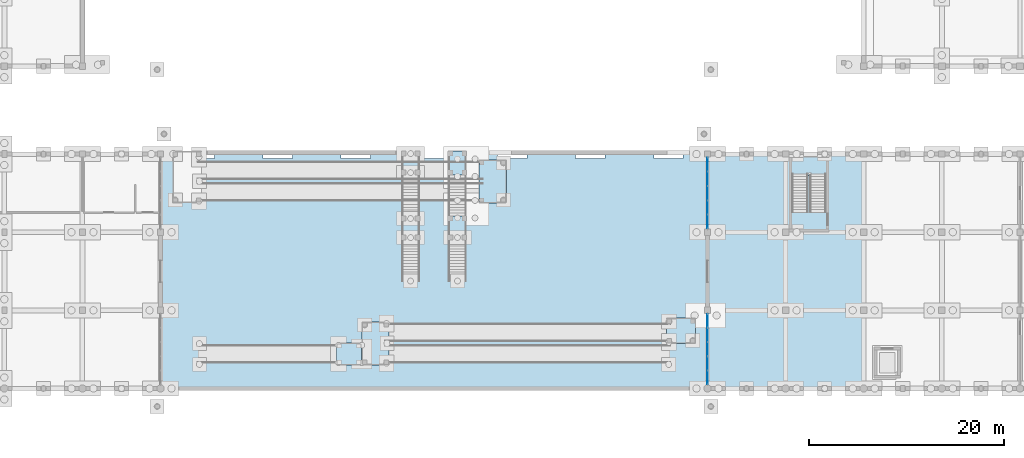
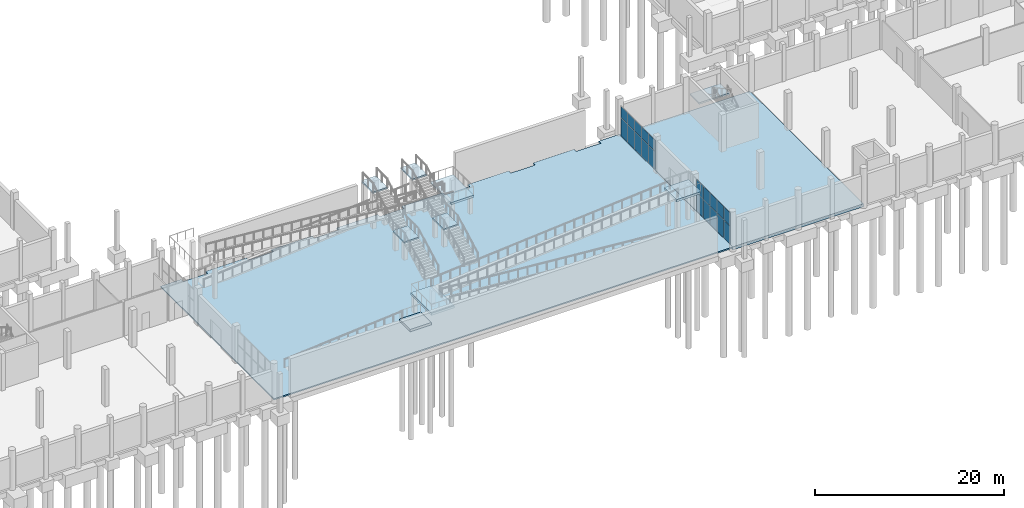
# One storey, part 23 of 52: 20 plates, 11 slabs, 9 elements without a shape of their own.
"""IFC4 building model written with IfcOpenShell, lengths in metres."""

import ifcopenshell
import ifcopenshell.guid

model = None  # the IFC model being written
_history = None  # IfcOwnerHistory: only IFC2X3 demands one
_inside = {}  # id of a spatial element -> (the spatial element, [elements in it])
_under = {}  # id of a project, library or spatial element -> (it, [spatial elements below it])
_declared = {}  # id of a project -> (the project, [libraries it declares])
_typed = {}  # id of a type object -> (the type object, [elements of that type])
_made_of = {}  # id of a material, layer set ... -> (it, [elements and type objects made of it])


def new_model(schema):
    """Start an empty IFC model of exactly this schema.

    Asked for "IFC4X3", IfcOpenShell would pick the latest addendum, in which some entities
    have other attributes; the version numbers below select the first issue.
    IFC2X3 requires an IfcOwnerHistory on every rooted entity: one is made here for all.
    """
    global model, _history
    if schema == "IFC4X3":
        model = ifcopenshell.file(schema_version=(4, 3, 0, 0))
    else:
        model = ifcopenshell.file(schema=schema)
    _inside.clear()
    _under.clear()
    _declared.clear()
    _typed.clear()
    _made_of.clear()
    _history = None
    if model.schema == "IFC2X3":
        org = make("IfcOrganization", Name="unknown")
        user = make(
            "IfcPersonAndOrganization",
            ThePerson=make("IfcPerson", FamilyName="unknown"),
            TheOrganization=org,
        )
        app = make(
            "IfcApplication",
            ApplicationDeveloper=org,
            Version="unknown",
            ApplicationFullName="unknown",
            ApplicationIdentifier="unknown",
        )
        _history = make(
            "IfcOwnerHistory",
            OwningUser=user,
            OwningApplication=app,
            ChangeAction="ADDED",
            CreationDate=0,
        )
    return model


def make(cls, **values):
    """One entity of the class cls with the attributes given. An attribute that is None is left unset."""
    return model.create_entity(
        cls, **{name: value for name, value in values.items() if value is not None}
    )


def rooted(cls, **values):
    """An entity with a GlobalId (a new one), such as an element, a storey or a relation."""
    return make(cls, GlobalId=ifcopenshell.guid.new(), OwnerHistory=_history, **values)


def si_unit(unit_type, name, prefix=None):
    """IfcSIUnit, for example si_unit("LENGTHUNIT", "METRE", prefix="MILLI")."""
    return make("IfcSIUnit", UnitType=unit_type, Prefix=prefix, Name=name)


def assignment(units):
    """IfcUnitAssignment: the units of a project."""
    return None if units is None else make("IfcUnitAssignment", Units=units)


def point(xyz):
    """IfcCartesianPoint."""
    return None if xyz is None else make("IfcCartesianPoint", Coordinates=xyz)


def direction(xyz):
    """IfcDirection."""
    return None if xyz is None else make("IfcDirection", DirectionRatios=xyz)


def frame(location, z_axis=None, x_axis=None):
    """IfcAxis2Placement3D, a coordinate frame: its origin and axes. An axis left out is left unset."""
    return make(
        "IfcAxis2Placement3D",
        Location=point(location),
        Axis=direction(z_axis),
        RefDirection=direction(x_axis),
    )


def frame_2d(location, x_axis=None):
    """IfcAxis2Placement2D, a coordinate frame in the plane: its origin and x axis."""
    return make(
        "IfcAxis2Placement2D", Location=point(location), RefDirection=direction(x_axis)
    )


def origin():
    """The frame at (0, 0, 0) with its axes left unset."""
    return frame((0.0, 0.0, 0.0))


def origin_2d():
    """The frame at (0, 0) in the plane with its x axis left unset."""
    return frame_2d((0.0, 0.0))


def place(relative_to, where):
    """IfcLocalPlacement: puts the frame where relative to a parent placement (None: the world)."""
    return make(
        "IfcLocalPlacement", PlacementRelTo=relative_to, RelativePlacement=where
    )


def context(
    kind, dimensions, precision=None, world=None, true_north=None, identifier=None
):
    """IfcGeometricRepresentationContext, for example the 3D "Model" context."""
    return make(
        "IfcGeometricRepresentationContext",
        ContextIdentifier=identifier,
        ContextType=kind,
        CoordinateSpaceDimension=dimensions,
        Precision=precision,
        WorldCoordinateSystem=world,
        TrueNorth=true_north,
    )


def subcontext(parent, identifier, kind, view, scale=None):
    """IfcGeometricRepresentationSubContext, for example "Body" below "Model"."""
    return make(
        "IfcGeometricRepresentationSubContext",
        ContextIdentifier=identifier,
        ContextType=kind,
        ParentContext=parent,
        TargetScale=scale,
        TargetView=view,
    )


def project(units=None, contexts=None):
    """IfcProject with its units and contexts."""
    return rooted(
        "IfcProject",
        Name="project",
        RepresentationContexts=contexts,
        UnitsInContext=assignment(units),
    )


def spatial(cls, under=None, at=None, **own):
    """A site, building, storey or space (cls), placed at a placement, below another one or the project."""
    s = rooted(cls, ObjectPlacement=at, **own)
    if under is not None:
        _under.setdefault(under.id(), (under, []))[1].append(s)
    return s


def polyline(points):
    """IfcPolyline through the points."""
    return make("IfcPolyline", Points=[point(p) for p in points])


def profile(cls, at=None, kind="AREA", **sizes):
    """A parametric profile (cls). Its sizes go by their IFC names, for example OverallWidth=200.0."""
    return make(cls, ProfileType=kind, Position=at, **sizes)


def rectangle(**sizes):
    """IfcRectangleProfileDef."""
    return profile("IfcRectangleProfileDef", **sizes)


def outline(outer, holes=None, kind="AREA"):
    """IfcArbitraryClosedProfileDef: a profile drawn as a closed curve; with holes, ...WithVoids."""
    if holes is None:
        return make("IfcArbitraryClosedProfileDef", ProfileType=kind, OuterCurve=outer)
    return make(
        "IfcArbitraryProfileDefWithVoids",
        ProfileType=kind,
        OuterCurve=outer,
        InnerCurves=holes,
    )


def extrude(swept, where, along, depth):
    """IfcExtrudedAreaSolid: the profile swept, set in the frame where, extruded along a direction by depth."""
    return make(
        "IfcExtrudedAreaSolid",
        SweptArea=swept,
        Position=where,
        ExtrudedDirection=direction(along),
        Depth=depth,
    )


def shape(context_of_items, identifier, shape_type, items):
    """IfcShapeRepresentation: the items that make up one representation, for example the "Body"."""
    return make(
        "IfcShapeRepresentation",
        ContextOfItems=context_of_items,
        RepresentationIdentifier=identifier,
        RepresentationType=shape_type,
        Items=items,
    )


def material(Name=None, Category=None):
    """IfcMaterial."""
    return make("IfcMaterial", Name=Name, Category=Category)


def layer(
    of_material, thickness, ventilated=None, Name=None, Category=None, Priority=None
):
    """IfcMaterialLayer: one layer of a wall or slab, of a material (None: an air gap)."""
    return make(
        "IfcMaterialLayer",
        Material=of_material,
        LayerThickness=thickness,
        IsVentilated=ventilated,
        Name=Name,
        Category=Category,
        Priority=Priority,
    )


def layer_set(layers, Name=None):
    """IfcMaterialLayerSet."""
    return make("IfcMaterialLayerSet", MaterialLayers=layers, LayerSetName=Name)


def made_of(thing, what):
    """Note that an element or type object is made of a material, layer set ...; save() writes the relation."""
    if what is not None:
        _made_of.setdefault(what.id(), (what, []))[1].append(thing)
    return thing


def type_object(cls, material=None, **own):
    """A type object (cls), such as IfcWallType, which elements share."""
    return made_of(rooted(cls, **own), material)


def element(
    cls,
    number,
    at=None,
    inside=None,
    cuts=None,
    type_object=None,
    material=None,
    context=None,
    identifier="Body",
    shape_type=None,
    held_by="IfcProductDefinitionShape",
    body=None,
    shapes=None,
    **own,
):
    """One element of the class cls, such as IfcWall. Its Tag is "e" and its number.

    at: its placement. inside: the storey or other place that contains it. cuts: it is an
    opening in that element (IfcRelVoidsElement). A single representation is given by context,
    identifier, shape_type and body (its items); several are given by shapes. held_by: the class
    of the entity that holds the representations. save() writes the other relations.
    """
    e = rooted(cls, Tag="e%d" % number, ObjectPlacement=at, **own)
    if body is not None:
        shapes = [shape(context, identifier, shape_type, body)]
    if shapes is not None:
        e.Representation = make(held_by, Representations=shapes)
    if inside is not None:
        _inside.setdefault(inside.id(), (inside, []))[1].append(e)
    if cuts is not None:
        rooted(
            "IfcRelVoidsElement", RelatingBuildingElement=cuts, RelatedOpeningElement=e
        )
    if type_object is not None:
        _typed.setdefault(type_object.id(), (type_object, []))[1].append(e)
    return made_of(e, material)


def aggregate(whole, parts):
    """IfcRelAggregates: a whole, such as a stair, and the parts it consists of."""
    return rooted("IfcRelAggregates", RelatingObject=whole, RelatedObjects=parts)


def save(model, path):
    """Write the relations noted so far, then the file.

    IfcRelAggregates (storeys below a building ...), IfcRelContainedInSpatialStructure (elements
    in a storey), IfcRelDefinesByType, IfcRelAssociatesMaterial and IfcRelDeclares: one each for
    every whole, place, type object, material and project.
    """
    for whole, parts in _under.values():
        aggregate(whole, parts)
    for where, things in _inside.values():
        rooted(
            "IfcRelContainedInSpatialStructure",
            RelatedElements=things,
            RelatingStructure=where,
        )
    for kind, things in _typed.values():
        rooted("IfcRelDefinesByType", RelatedObjects=things, RelatingType=kind)
    for what, things in _made_of.values():
        rooted("IfcRelAssociatesMaterial", RelatedObjects=things, RelatingMaterial=what)
    for by, libraries in _declared.values():
        rooted("IfcRelDeclares", RelatingContext=by, RelatedDefinitions=libraries)
    model.write(path)


model = new_model("IFC4")

# Units and contexts
model_context = context("Model", 3, precision=1e-05, world=origin(), true_north=direction((0.0, 1.0)))
body_context = subcontext(model_context, "Body", "Model", "MODEL_VIEW")
ifc_project = project(units=[si_unit("LENGTHUNIT", "METRE"), si_unit("AREAUNIT", "SQUARE_METRE"), si_unit("VOLUMEUNIT", "CUBIC_METRE"), si_unit("PLANEANGLEUNIT", "RADIAN"), si_unit("MASSUNIT", "GRAM", prefix="KILO")], contexts=[model_context])

# Site, building, storey
site_placement = place(None, origin())
site = spatial("IfcSite", under=ifc_project, at=site_placement, CompositionType="ELEMENT")
building_placement = place(site_placement, origin())
building = spatial("IfcBuilding", under=site, at=building_placement, Name="Luwemba Playhouse", CompositionType="ELEMENT")
storey_placement = place(building_placement, frame((0.0, 0.0, -4.800048828125)))
storey = spatial("IfcBuildingStorey", under=building, at=storey_placement, Name="B1", CompositionType="ELEMENT", Elevation=-4.800048828125)

# Curtain wall, plates
ifc_material_1 = material(Name="Solar-control double glazing", Category="glass")
curtain_wall_type_1 = type_object("IfcCurtainWallType", Name="CW-CW04", PredefinedType="USERDEFINED", material=ifc_material_1)
curtain_wall_1_placement = place(storey_placement, origin())
curtain_wall_1 = element("IfcCurtainWall", 1, at=curtain_wall_1_placement, inside=storey, type_object=curtain_wall_type_1, Name="B1 Sunken Forecourt curtain wall 004", ObjectType="UNITISED GLAZING", PredefinedType="USERDEFINED")
ifc_layer_1 = layer(ifc_material_1, 0.02392578125)
ifc_layer_set_1 = layer_set([ifc_layer_1], Name="Solar-control double glazing")
plate_type_1 = type_object("IfcPlateType", Name="CWP-P1", PredefinedType="CURTAIN_PANEL", material=ifc_layer_set_1)
plate_1_placement = place(storey_placement, frame((116.0, 20.074951171875, 0.06005859375), z_axis=(0.0, 0.0, 1.0), x_axis=(0.0, 1.0, 0.0)))
plate_1 = element("IfcPlate", 2, at=plate_1_placement, type_object=plate_type_1, Name="CW04 panel 1.1", PredefinedType="CURTAIN_PANEL", context=body_context, shape_type="SweptSolid", body=[
    extrude(rectangle(XDim=1.3798828125, YDim=0.02392578125, at=origin_2d()), origin(), (0.0, 0.0, 1.0), 2.31005859375),
])
plate_2_placement = place(storey_placement, frame((116.0, 20.074951171875, 2.43017578125), z_axis=(0.0, 0.0, 1.0), x_axis=(0.0, 1.0, 0.0)))
plate_2 = element("IfcPlate", 3, at=plate_2_placement, type_object=plate_type_1, Name="CW04 panel 1.2", PredefinedType="CURTAIN_PANEL", context=body_context, shape_type="SweptSolid", body=[
    extrude(rectangle(XDim=1.3798828125, YDim=0.02392578125, at=origin_2d()), origin(), (0.0, 0.0, 1.0), 1.445068359375),
])
plate_3_placement = place(storey_placement, frame((116.0, 21.530029296875, 0.06005859375), z_axis=(0.0, 0.0, 1.0), x_axis=(0.0, 1.0, 0.0)))
plate_3 = element("IfcPlate", 4, at=plate_3_placement, type_object=plate_type_1, Name="CW04 panel 2.1", PredefinedType="CURTAIN_PANEL", context=body_context, shape_type="SweptSolid", body=[
    extrude(rectangle(XDim=1.409912109375, YDim=0.02392578125, at=origin_2d()), origin(), (0.0, 0.0, 1.0), 2.31005859375),
])
plate_4_placement = place(storey_placement, frame((116.0, 21.530029296875, 2.43017578125), z_axis=(0.0, 0.0, 1.0), x_axis=(0.0, 1.0, 0.0)))
plate_4 = element("IfcPlate", 5, at=plate_4_placement, type_object=plate_type_1, Name="CW04 panel 2.2", PredefinedType="CURTAIN_PANEL", context=body_context, shape_type="SweptSolid", body=[
    extrude(rectangle(XDim=1.409912109375, YDim=0.02392578125, at=origin_2d()), origin(), (0.0, 0.0, 1.0), 1.445068359375),
])
plate_5_placement = place(storey_placement, frame((116.0, 23.0, 0.06005859375), z_axis=(0.0, 0.0, 1.0), x_axis=(0.0, 1.0, 0.0)))
plate_5 = element("IfcPlate", 6, at=plate_5_placement, type_object=plate_type_1, Name="CW04 panel 3.1", PredefinedType="CURTAIN_PANEL", context=body_context, shape_type="SweptSolid", body=[
    extrude(rectangle(XDim=1.409912109375, YDim=0.02392578125, at=origin_2d()), origin(), (0.0, 0.0, 1.0), 2.31005859375),
])
plate_6_placement = place(storey_placement, frame((116.0, 23.0, 2.43017578125), z_axis=(0.0, 0.0, 1.0), x_axis=(0.0, 1.0, 0.0)))
plate_6 = element("IfcPlate", 7, at=plate_6_placement, type_object=plate_type_1, Name="CW04 panel 3.2", PredefinedType="CURTAIN_PANEL", context=body_context, shape_type="SweptSolid", body=[
    extrude(rectangle(XDim=1.409912109375, YDim=0.02392578125, at=origin_2d()), origin(), (0.0, 0.0, 1.0), 1.445068359375),
])
plate_7_placement = place(storey_placement, frame((116.0, 24.469970703125, 0.06005859375), z_axis=(0.0, 0.0, 1.0), x_axis=(0.0, 1.0, 0.0)))
plate_7 = element("IfcPlate", 8, at=plate_7_placement, type_object=plate_type_1, Name="CW04 panel 4.1", PredefinedType="CURTAIN_PANEL", context=body_context, shape_type="SweptSolid", body=[
    extrude(rectangle(XDim=1.409912109375, YDim=0.02392578125, at=origin_2d()), origin(), (0.0, 0.0, 1.0), 2.31005859375),
])
plate_8_placement = place(storey_placement, frame((116.0, 24.469970703125, 2.43017578125), z_axis=(0.0, 0.0, 1.0), x_axis=(0.0, 1.0, 0.0)))
plate_8 = element("IfcPlate", 9, at=plate_8_placement, type_object=plate_type_1, Name="CW04 panel 4.2", PredefinedType="CURTAIN_PANEL", context=body_context, shape_type="SweptSolid", body=[
    extrude(rectangle(XDim=1.409912109375, YDim=0.02392578125, at=origin_2d()), origin(), (0.0, 0.0, 1.0), 1.445068359375),
])
plate_9_placement = place(storey_placement, frame((116.0, 25.925048828125, 0.06005859375), z_axis=(0.0, 0.0, 1.0), x_axis=(0.0, 1.0, 0.0)))
plate_9 = element("IfcPlate", 10, at=plate_9_placement, type_object=plate_type_1, Name="CW04 panel 5.1", PredefinedType="CURTAIN_PANEL", context=body_context, shape_type="SweptSolid", body=[
    extrude(rectangle(XDim=1.3798828125, YDim=0.02392578125, at=origin_2d()), origin(), (0.0, 0.0, 1.0), 2.31005859375),
])
plate_10_placement = place(storey_placement, frame((116.0, 25.925048828125, 2.43017578125), z_axis=(0.0, 0.0, 1.0), x_axis=(0.0, 1.0, 0.0)))
plate_10 = element("IfcPlate", 11, at=plate_10_placement, type_object=plate_type_1, Name="CW04 panel 5.2", PredefinedType="CURTAIN_PANEL", context=body_context, shape_type="SweptSolid", body=[
    extrude(rectangle(XDim=1.3798828125, YDim=0.02392578125, at=origin_2d()), origin(), (0.0, 0.0, 1.0), 1.445068359375),
])
aggregate(curtain_wall_1, [plate_1, plate_2, plate_3, plate_4, plate_5, plate_6, plate_7, plate_8, plate_9, plate_10])

curtain_wall_type_2 = type_object("IfcCurtainWallType", Name="CW-CW03", PredefinedType="USERDEFINED", material=ifc_material_1)
curtain_wall_2_placement = place(storey_placement, origin())
curtain_wall_2 = element("IfcCurtainWall", 12, at=curtain_wall_2_placement, inside=storey, type_object=curtain_wall_type_2, Name="B1 Sunken Forecourt curtain wall 003", ObjectType="UNITISED GLAZING", PredefinedType="USERDEFINED")
ifc_layer_2 = layer(ifc_material_1, 0.035888671875)
ifc_layer_set_2 = layer_set([ifc_layer_2], Name="Solar-control double glazing")
plate_type_2 = type_object("IfcPlateType", Name="CWP-P4", PredefinedType="CURTAIN_PANEL", material=ifc_layer_set_2)
plate_11_placement = place(storey_placement, frame((116.0, 4.12255859375, 0.05029296875), z_axis=(0.0, 0.0, 1.0), x_axis=(0.0, 1.0, 0.0)))
plate_11 = element("IfcPlate", 13, at=plate_11_placement, type_object=plate_type_2, Name="CW03 panel 1.1", PredefinedType="CURTAIN_PANEL", context=body_context, shape_type="SweptSolid", body=[
    extrude(rectangle(XDim=1.35498046875, YDim=0.035888671875, at=origin_2d()), origin(), (0.0, 0.0, 1.0), 2.324951171875),
])
plate_12_placement = place(storey_placement, frame((116.0, 4.12255859375, 2.425048828125), z_axis=(0.0, 0.0, 1.0), x_axis=(0.0, 1.0, 0.0)))
plate_12 = element("IfcPlate", 14, at=plate_12_placement, type_object=plate_type_2, Name="CW03 panel 1.2", PredefinedType="CURTAIN_PANEL", context=body_context, shape_type="SweptSolid", body=[
    extrude(rectangle(XDim=1.35498046875, YDim=0.035888671875, at=origin_2d()), origin(), (0.0, 0.0, 1.0), 1.7099609375),
])
plate_13_placement = place(storey_placement, frame((116.0, 5.56494140625, 0.05029296875), z_axis=(0.0, 0.0, 1.0), x_axis=(0.0, 1.0, 0.0)))
plate_13 = element("IfcPlate", 15, at=plate_13_placement, type_object=plate_type_2, Name="CW03 panel 2.1", PredefinedType="CURTAIN_PANEL", context=body_context, shape_type="SweptSolid", body=[
    extrude(rectangle(XDim=1.389892578125, YDim=0.035888671875, at=origin_2d()), origin(), (0.0, 0.0, 1.0), 2.324951171875),
])
plate_14_placement = place(storey_placement, frame((116.0, 5.56494140625, 2.425048828125), z_axis=(0.0, 0.0, 1.0), x_axis=(0.0, 1.0, 0.0)))
plate_14 = element("IfcPlate", 16, at=plate_14_placement, type_object=plate_type_2, Name="CW03 panel 2.2", PredefinedType="CURTAIN_PANEL", context=body_context, shape_type="SweptSolid", body=[
    extrude(rectangle(XDim=1.389892578125, YDim=0.035888671875, at=origin_2d()), origin(), (0.0, 0.0, 1.0), 1.7099609375),
])
plate_15_placement = place(storey_placement, frame((116.0, 7.02490234375, 0.05029296875), z_axis=(0.0, 0.0, 1.0), x_axis=(0.0, 1.0, 0.0)))
plate_15 = element("IfcPlate", 17, at=plate_15_placement, type_object=plate_type_2, Name="CW03 panel 3.1", PredefinedType="CURTAIN_PANEL", context=body_context, shape_type="SweptSolid", body=[
    extrude(rectangle(XDim=1.389892578125, YDim=0.035888671875, at=origin_2d()), origin(), (0.0, 0.0, 1.0), 2.324951171875),
])
plate_16_placement = place(storey_placement, frame((116.0, 7.02490234375, 2.425048828125), z_axis=(0.0, 0.0, 1.0), x_axis=(0.0, 1.0, 0.0)))
plate_16 = element("IfcPlate", 18, at=plate_16_placement, type_object=plate_type_2, Name="CW03 panel 3.2", PredefinedType="CURTAIN_PANEL", context=body_context, shape_type="SweptSolid", body=[
    extrude(rectangle(XDim=1.389892578125, YDim=0.035888671875, at=origin_2d()), origin(), (0.0, 0.0, 1.0), 1.7099609375),
])
plate_17_placement = place(storey_placement, frame((116.0, 8.485107421875, 0.05029296875), z_axis=(0.0, 0.0, 1.0), x_axis=(0.0, 1.0, 0.0)))
plate_17 = element("IfcPlate", 19, at=plate_17_placement, type_object=plate_type_2, Name="CW03 panel 4.1", PredefinedType="CURTAIN_PANEL", context=body_context, shape_type="SweptSolid", body=[
    extrude(rectangle(XDim=1.389892578125, YDim=0.035888671875, at=origin_2d()), origin(), (0.0, 0.0, 1.0), 2.324951171875),
])
plate_18_placement = place(storey_placement, frame((116.0, 8.485107421875, 2.425048828125), z_axis=(0.0, 0.0, 1.0), x_axis=(0.0, 1.0, 0.0)))
plate_18 = element("IfcPlate", 20, at=plate_18_placement, type_object=plate_type_2, Name="CW03 panel 4.2", PredefinedType="CURTAIN_PANEL", context=body_context, shape_type="SweptSolid", body=[
    extrude(rectangle(XDim=1.389892578125, YDim=0.035888671875, at=origin_2d()), origin(), (0.0, 0.0, 1.0), 1.7099609375),
])
plate_19_placement = place(storey_placement, frame((116.0, 9.927490234375, 0.05029296875), z_axis=(0.0, 0.0, 1.0), x_axis=(0.0, 1.0, 0.0)))
plate_19 = element("IfcPlate", 21, at=plate_19_placement, type_object=plate_type_2, Name="CW03 panel 5.1", PredefinedType="CURTAIN_PANEL", context=body_context, shape_type="SweptSolid", body=[
    extrude(rectangle(XDim=1.35498046875, YDim=0.035888671875, at=origin_2d()), origin(), (0.0, 0.0, 1.0), 2.324951171875),
])
plate_20_placement = place(storey_placement, frame((116.0, 9.927490234375, 2.425048828125), z_axis=(0.0, 0.0, 1.0), x_axis=(0.0, 1.0, 0.0)))
plate_20 = element("IfcPlate", 22, at=plate_20_placement, type_object=plate_type_2, Name="CW03 panel 5.2", PredefinedType="CURTAIN_PANEL", context=body_context, shape_type="SweptSolid", body=[
    extrude(rectangle(XDim=1.35498046875, YDim=0.035888671875, at=origin_2d()), origin(), (0.0, 0.0, 1.0), 1.7099609375),
])
aggregate(curtain_wall_2, [plate_11, plate_12, plate_13, plate_14, plate_15, plate_16, plate_17, plate_18, plate_19, plate_20])

# Slab
ifc_material_2 = material(Name="Concrete C32/40", Category="concrete")
ifc_layer_3 = layer(ifc_material_2, 0.3798828125)
ifc_layer_set_3 = layer_set([ifc_layer_3], Name="Concrete C32/40")
slab_type_1 = type_object("IfcSlabType", Name="SLB-BASE-380", PredefinedType="BASESLAB", material=ifc_layer_set_3)
slab_1_placement = place(storey_placement, frame((0.0, 0.0, -0.3798828125)))
element("IfcSlab", 23, at=slab_1_placement, inside=storey, type_object=slab_type_1, Name="B1 V5E structural floor slab-MJ", PredefinedType="BASESLAB", context=body_context, shape_type="SweptSolid", body=[
    extrude(outline(polyline([(116.0, 3.0), (116.0, 27.0), (131.969970703125, 27.0), (131.969970703125, 3.0), (116.0, 3.0)])), origin(), (0.0, 0.0, 1.0), 0.3798828125),
])

# Stair, slab
ifc_material_3 = material(Name="Concrete C40/50", Category="concrete")
stair_type_1 = type_object("IfcStairType", Name="STR-DL-03", PredefinedType="HALF_TURN_STAIR", material=ifc_material_3)
stair_1_placement = place(storey_placement, origin())
stair_1 = element("IfcStair", 24, at=stair_1_placement, inside=storey, type_object=stair_type_1, Name="B1 Civic Cafe North-West Escape Stair", PredefinedType="HALF_TURN_STAIR")
ifc_layer_4 = layer(ifc_material_3, 0.215087890625)
ifc_layer_set_4 = layer_set([ifc_layer_4], Name="Concrete C40/50")
slab_type_2 = type_object("IfcSlabType", Name="SLB-LND-215", PredefinedType="LANDING", material=ifc_layer_set_4)
slab_2_placement = place(storey_placement, frame((0.0, 0.0, 2.199951171875)))
slab_2 = element("IfcSlab", 25, at=slab_2_placement, type_object=slab_type_2, Name="ST-14 landing 1", PredefinedType="LANDING", context=body_context, shape_type="SweptSolid", body=[
    extrude(outline(polyline([(128.2900390625, 24.820068359375), (124.510009765625, 24.820068359375), (124.510009765625, 26.800048828125), (128.2900390625, 26.800048828125), (128.2900390625, 24.820068359375)])), origin(), (0.0, 0.0, 1.0), 0.2001953125),
])
aggregate(stair_1, [slab_2])

# Stair, slabs
stair_type_2 = type_object("IfcStairType", Name="STR-AMP-180", PredefinedType="TWO_STRAIGHT_RUN_STAIR", material=ifc_material_2)
stair_2_placement = place(storey_placement, origin())
stair_2 = element("IfcStair", 26, at=stair_2_placement, inside=storey, type_object=stair_type_2, Name="Sunken Metro Forecourt amphitheatre stair ST-11", PredefinedType="TWO_STRAIGHT_RUN_STAIR")
slab_3_placement = place(storey_placement, frame((0.0, 0.0, 2.199951171875)))
slab_3 = element("IfcSlab", 27, at=slab_3_placement, type_object=slab_type_2, Name="ST-11 landing 1", PredefinedType="LANDING", context=body_context, shape_type="SweptSolid", body=[
    extrude(outline(polyline([(84.699951171875, 18.199951171875), (86.5, 18.199951171875), (86.5, 20.64990234375), (84.699951171875, 20.64990234375), (84.699951171875, 18.199951171875)])), origin(), (0.0, 0.0, 1.0), 0.2001953125),
])
slab_4_placement = place(storey_placement, frame((0.0, 0.0, 4.60009765625)))
slab_4 = element("IfcSlab", 28, at=slab_4_placement, type_object=slab_type_2, Name="ST-11 landing 2", PredefinedType="LANDING", context=body_context, shape_type="SweptSolid", body=[
    extrude(outline(polyline([(84.699951171875, 24.85009765625), (86.5, 24.85009765625), (86.5, 27.300048828125), (84.699951171875, 27.300048828125), (84.699951171875, 24.85009765625)])), origin(), (0.0, 0.0, 1.0), 0.199951171875),
])
aggregate(stair_2, [slab_3, slab_4])

stair_3_placement = place(storey_placement, origin())
stair_3 = element("IfcStair", 29, at=stair_3_placement, inside=storey, type_object=stair_type_2, Name="Sunken Metro Forecourt amphitheatre stair ST-12", PredefinedType="TWO_STRAIGHT_RUN_STAIR")
slab_5_placement = place(storey_placement, frame((0.0, 0.0, 2.199951171875)))
slab_5 = element("IfcSlab", 30, at=slab_5_placement, type_object=slab_type_2, Name="ST-12 landing 1", PredefinedType="LANDING", context=body_context, shape_type="SweptSolid", body=[
    extrude(outline(polyline([(89.5, 18.199951171875), (91.300048828125, 18.199951171875), (91.300048828125, 20.64990234375), (89.5, 20.64990234375), (89.5, 18.199951171875)])), origin(), (0.0, 0.0, 1.0), 0.2001953125),
])
slab_6_placement = place(storey_placement, frame((0.0, 0.0, 4.60009765625)))
slab_6 = element("IfcSlab", 31, at=slab_6_placement, type_object=slab_type_2, Name="ST-12 landing 2", PredefinedType="LANDING", context=body_context, shape_type="SweptSolid", body=[
    extrude(outline(polyline([(89.5, 24.85009765625), (91.300048828125, 24.85009765625), (91.300048828125, 27.300048828125), (89.5, 27.300048828125), (89.5, 24.85009765625)])), origin(), (0.0, 0.0, 1.0), 0.199951171875),
])
aggregate(stair_3, [slab_5, slab_6])

# Ramp, slab
ramp_type = type_object("IfcRampType", Name="RMP-ACC", PredefinedType="STRAIGHT_RUN_RAMP", material=ifc_material_2)
ramp_1_placement = place(storey_placement, origin())
ramp_1 = element("IfcRamp", 32, at=ramp_1_placement, inside=storey, type_object=ramp_type, Name="Accessible pedestrian ramp RMP-ACC-FC1", PredefinedType="STRAIGHT_RUN_RAMP")
ifc_layer_5 = layer(ifc_material_2, 0.300048828125)
ifc_layer_set_5 = layer_set([ifc_layer_5], Name="Concrete C32/40")
slab_type_3 = type_object("IfcSlabType", Name="SLB-LND-300", PredefinedType="LANDING", material=ifc_layer_set_5)
slab_7_placement = place(storey_placement, frame((0.0, 0.0, 2.10009765625)))
slab_7 = element("IfcSlab", 33, at=slab_7_placement, type_object=slab_type_3, Name="Accessible ramp landing RMP-ACC-FC1", PredefinedType="LANDING", context=body_context, shape_type="SweptSolid", body=[
    extrude(outline(polyline([(92.60009765625, 22.0), (95.39990234375, 22.0), (95.39990234375, 26.39990234375), (92.60009765625, 26.39990234375), (92.60009765625, 22.0)])), origin(), (0.0, 0.0, 1.0), 0.300048828125),
])
aggregate(ramp_1, [slab_7])

ramp_2_placement = place(storey_placement, origin())
ramp_2 = element("IfcRamp", 34, at=ramp_2_placement, inside=storey, type_object=ramp_type, Name="Accessible pedestrian ramp RMP-ACC-FC3", PredefinedType="STRAIGHT_RUN_RAMP")
slab_8_placement = place(storey_placement, frame((0.0, 0.0, 2.10009765625)))
slab_8 = element("IfcSlab", 35, at=slab_8_placement, type_object=slab_type_3, Name="Accessible ramp landing RMP-ACC-FC3", PredefinedType="LANDING", context=body_context, shape_type="SweptSolid", body=[
    extrude(outline(polyline([(80.60009765625, 5.39990234375), (83.39990234375, 5.39990234375), (83.39990234375, 9.800048828125), (80.60009765625, 9.800048828125), (80.60009765625, 5.39990234375)])), origin(), (0.0, 0.0, 1.0), 0.300048828125),
])
aggregate(ramp_2, [slab_8])

ramp_3_placement = place(storey_placement, origin())
ramp_3 = element("IfcRamp", 36, at=ramp_3_placement, inside=storey, type_object=ramp_type, Name="Accessible pedestrian ramp RMP-ACC-FC4", PredefinedType="STRAIGHT_RUN_RAMP")
slab_9_placement = place(storey_placement, frame((0.0, 0.0, 4.5)))
slab_9 = element("IfcSlab", 37, at=slab_9_placement, type_object=slab_type_3, Name="Accessible ramp landing RMP-ACC-FC4", PredefinedType="LANDING", context=body_context, shape_type="SweptSolid", body=[
    extrude(outline(polyline([(111.800048828125, 7.60009765625), (114.800048828125, 7.60009765625), (114.800048828125, 10.199951171875), (111.800048828125, 10.199951171875), (111.800048828125, 7.60009765625)])), origin(), (0.0, 0.0, 1.0), 0.300048828125),
])
aggregate(ramp_3, [slab_9])

ramp_4_placement = place(storey_placement, origin())
ramp_4 = element("IfcRamp", 38, at=ramp_4_placement, inside=storey, type_object=ramp_type, Name="Accessible pedestrian ramp RMP-ACC-FC5", PredefinedType="STRAIGHT_RUN_RAMP")
slab_10_placement = place(storey_placement, frame((0.0, 0.0, 0.900146484375)))
slab_10 = element("IfcSlab", 39, at=slab_10_placement, type_object=slab_type_3, Name="Accessible ramp landing RMP-ACC-FC5", PredefinedType="LANDING", context=body_context, shape_type="SweptSolid", body=[
    extrude(outline(polyline([(78.0, 5.39990234375), (80.60009765625, 5.39990234375), (80.60009765625, 7.64990234375), (78.0, 7.64990234375), (78.0, 5.39990234375)])), origin(), (0.0, 0.0, 1.0), 0.2998046875),
])
aggregate(ramp_4, [slab_10])

# Slab
ifc_layer_6 = layer(ifc_material_2, 0.159912109375)
ifc_layer_set_6 = layer_set([ifc_layer_6], Name="Concrete C32/40")
slab_type_4 = type_object("IfcSlabType", Name="SLB-PAV-160", PredefinedType="USERDEFINED", material=ifc_layer_set_6)
slab_11_placement = place(storey_placement, frame((0.0, 0.0, -0.159912109375)))
element("IfcSlab", 40, at=slab_11_placement, inside=storey, type_object=slab_type_4, Name="B1 Sunken Metro Forecourt paving", ObjectType="PAVING", PredefinedType="USERDEFINED", context=body_context, shape_type="SweptSolid", body=[
    extrude(outline(polyline([(60.0, 3.0), (116.0, 3.0), (116.0, 27.0), (113.5, 27.0), (113.5, 26.550048828125), (110.5, 26.550048828125), (110.5, 27.0), (105.5, 27.0), (105.5, 26.550048828125), (102.5, 26.550048828125), (102.5, 27.0), (97.5, 27.0), (97.5, 26.550048828125), (94.5, 26.550048828125), (94.5, 27.0), (89.5, 27.0), (89.5, 26.550048828125), (86.5, 26.550048828125), (86.5, 27.0), (81.5, 27.0), (81.5, 26.550048828125), (78.5, 26.550048828125), (78.5, 27.0), (73.5, 27.0), (73.5, 26.550048828125), (70.5, 26.550048828125), (70.5, 27.0), (65.5, 27.0), (65.5, 26.550048828125), (62.5, 26.550048828125), (62.5, 27.0), (60.0, 27.0), (60.0, 3.0)])), origin(), (0.0, 0.0, 1.0), 0.159912109375),
])

save(model, "model.ifc")
